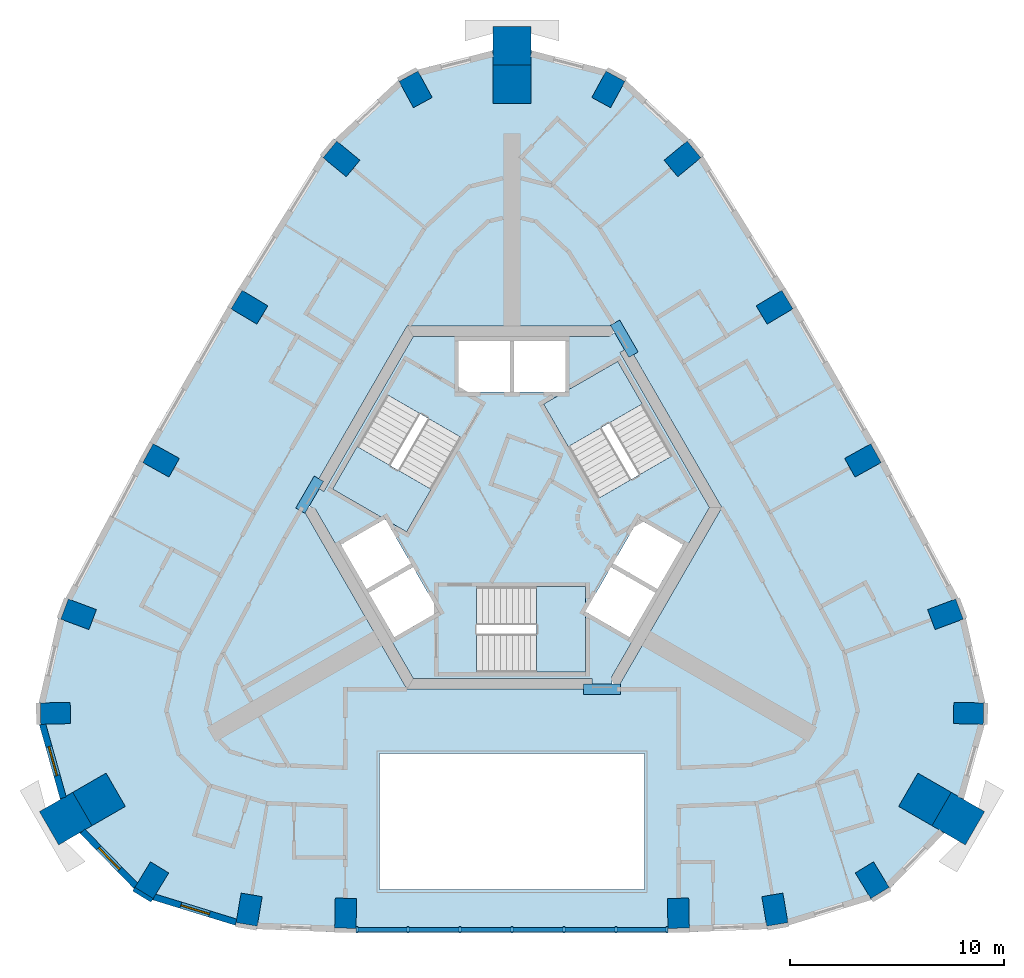
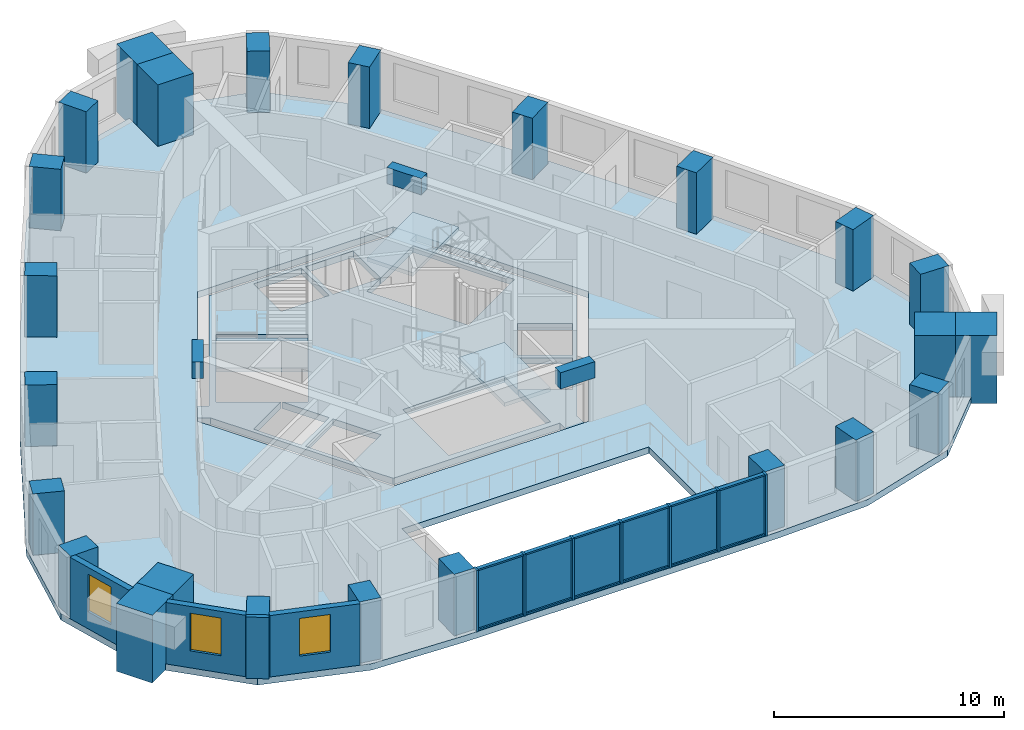
# One storey, part 1 of 10: 24 columns, 19 members, 6 plates, 5 slabs, 4 walls, 3 beams, 3 windows, 3 openings, 4 elements without a shape of their own.
"""IFC4 building model written with IfcOpenShell, lengths in metres."""

from ifc_helpers import new_model, si_unit, direction, frame, frame_2d, origin, origin_2d, place, context, subcontext, project, spatial, polyline, rectangle, outline, extrude, material, layer, layer_set, material_profile, profile_set, type_object, element, fill, aggregate, save


model = new_model("IFC4")

# Units and contexts
model_context = context("Model", 3, precision=1e-05, world=origin(), true_north=direction((0.0, 1.0)))
body_context = subcontext(model_context, "Body", "Model", "MODEL_VIEW")
ifc_project = project(units=[si_unit("LENGTHUNIT", "METRE"), si_unit("AREAUNIT", "SQUARE_METRE"), si_unit("VOLUMEUNIT", "CUBIC_METRE"), si_unit("PLANEANGLEUNIT", "RADIAN"), si_unit("MASSUNIT", "GRAM", prefix="KILO")], contexts=[model_context])

# Site, building, storey
site_placement = place(None, origin())
site = spatial("IfcSite", under=ifc_project, at=site_placement, CompositionType="ELEMENT")
building_placement = place(site_placement, origin())
building = spatial("IfcBuilding", under=site, at=building_placement, Name="Entoto Arch Interchange Tower", CompositionType="ELEMENT")
storey_placement = place(building_placement, frame((0.0, 0.0, 293.60009765625)))
storey = spatial("IfcBuildingStorey", under=building, at=storey_placement, Name="L68", CompositionType="ELEMENT", Elevation=293.60009765625)

# Columns
ifc_material_1 = material(Name="Concrete C40/50", Category="concrete")
ifc_material_profile_1 = material_profile(ifc_material_1, rectangle(XDim=1.0, YDim=1.39990234375, at=origin_2d()))
ifc_profile_set_1 = profile_set([ifc_material_profile_1], Name="Concrete C40/50")
column_type_1 = type_object("IfcColumnType", Name="Column RC 1000x1400 C40/50", PredefinedType="COLUMN", material=ifc_profile_set_1)
for number, where, z_axis, x_axis, name in (
    (1, (-12.297119140625, -16.31103515625, -0.340087890625), (0.0, 0.0, 1.0), (-0.985785690827, 0.168007653877, 0.0), "Column S01 L68"),
    (2, (-7.781982421875, -16.48095703125, -0.340087890625), (0.0, 0.0, 1.0), (-0.999805523312, 0.019720942027, 0.0), "Column S02 L68"),
    (3, (7.781982421875, -16.48095703125, -0.340087890625), (0.0, 0.0, 1.0), (0.999805523312, 0.019720942027, 0.0), "Column S03 L68"),
    (4, (12.297119140625, -16.31103515625, -0.340087890625), (0.0, 0.0, 1.0), (0.985785690827, 0.168007653877, 0.0), "Column S04 L68"),
    (5, (16.85009765625, -14.93310546875, -0.340087890625), (0.0, 0.0, 1.0), (0.853650808213, 0.520845752251, 0.0), "Column SE1 L68"),
    (6, (21.35693359375, -7.1259765625, -0.340087890625), (0.0, 0.0, 1.0), (0.024257696956, 0.999705738774, 0.0), "Column SE3 L68"),
    (7, (20.27490234375, -2.4970703125, -0.340087890625), (0.0, 0.0, 1.0), (-0.3507141184, 0.93648257173, 0.0), "Column NE01 L68"),
    (8, (16.4150390625, 4.701904296875, -0.340087890625), (0.0, 0.0, 1.0), (-0.48592357098, 0.874001306158, 0.0), "Column NE02 L68"),
    (9, (12.279052734375, 11.864990234375, -0.340087890625), (0.0, 0.0, 1.0), (-0.513945548584, 0.857822809845, 0.0), "Column NE03 L68"),
    (10, (7.97509765625, 18.806884765625, -0.340087890625), (0.0, 0.0, 1.0), (-0.635647164629, 0.771979716119, 0.0), "Column NE04 L68"),
    (11, (4.507080078125, 22.05908203125, -0.340087890625), (0.0, 0.0, 1.0), (-0.877899414566, 0.478845087586, 0.0), "Column N1 L68"),
    (12, (-4.507080078125, 22.05908203125, -0.340087890625), (0.0, 0.0, 1.0), (0.877899414566, 0.478845087586, 0.0), "Column N3 L68"),
    (13, (-7.97509765625, 18.806884765625, -0.340087890625), (0.0, 0.0, 1.0), (0.635647164629, 0.771979716119, 0.0), "Column NW01 L68"),
    (14, (-12.279052734375, 11.864990234375, -0.340087890625), (0.0, 0.0, 1.0), (0.513945548584, 0.857822809845, 0.0), "Column NW02 L68"),
    (15, (-16.4150390625, 4.701904296875, -0.340087890625), (0.0, 0.0, 1.0), (0.48592357098, 0.874001306158, 0.0), "Column NW03 L68"),
    (16, (-20.27490234375, -2.4970703125, -0.340087890625), (0.0, 0.0, 1.0), (0.3507141184, 0.93648257173, 0.0), "Column NW04 L68"),
    (17, (-21.35693359375, -7.1259765625, -0.340087890625), (0.0, 0.0, 1.0), (-0.024257696956, 0.999705738774, 0.0), "Column SW1 L68"),
    (18, (-16.85009765625, -14.93310546875, -0.340087890625), (0.0, 0.0, 1.0), (-0.853650808213, 0.520845752251, 0.0), "Column SW3 L68"),
):
    element("IfcColumn", number, at=place(storey_placement, frame(where, z_axis=z_axis, x_axis=x_axis)), inside=storey, type_object=column_type_1, Name=name, PredefinedType="COLUMN", context=body_context, shape_type="SweptSolid", body=[
        extrude(rectangle(XDim=1.0, YDim=1.39990234375, at=origin_2d()), origin(), (0.0, 0.0, 1.0), 3.60009765625),
    ])
ifc_material_2 = material(Name="Precast concrete C40/50", Category="concrete")
ifc_material_profile_2 = material_profile(ifc_material_2, rectangle(XDim=1.800048828125, YDim=1.800048828125, at=origin_2d()))
ifc_profile_set_2 = profile_set([ifc_material_profile_2], Name="Precast concrete C40/50")
column_type_2 = type_object("IfcColumnType", Name="Frame post RC 1800x1800 precast C40/50", PredefinedType="COLUMN", material=ifc_profile_set_2)
for number, where, z_axis, x_axis, name in (
    (19, (20.8779296875, -12.053955078125, -0.340087890625), (0.0, 0.0, 1.0), (-0.866025403784, 0.5, 0.0), "Frame post SE L68"),
    (20, (0.0, 24.10791015625, -0.340087890625), (0.0, 0.0, 1.0), (0.0, 1.0, 0.0), "Frame post N L68"),
    (21, (-20.8779296875, -12.053955078125, -0.340087890625), (0.0, 0.0, 1.0), (0.866025403784, 0.5, 0.0), "Frame post SW L68"),
):
    element("IfcColumn", number, at=place(storey_placement, frame(where, z_axis=z_axis, x_axis=x_axis)), inside=storey, type_object=column_type_2, Name=name, PredefinedType="COLUMN", context=body_context, shape_type="SweptSolid", body=[
        extrude(rectangle(XDim=1.800048828125, YDim=1.800048828125, at=origin_2d()), origin(), (0.0, 0.0, 1.0), 3.60009765625),
    ])
ifc_material_profile_3 = material_profile(ifc_material_1, rectangle(XDim=1.800048828125, YDim=1.800048828125, at=origin_2d()))
ifc_profile_set_3 = profile_set([ifc_material_profile_3], Name="Concrete C40/50")
column_type_3 = type_object("IfcColumnType", Name="Mega column RC 1800x1800 C40/50", PredefinedType="COLUMN", material=ifc_profile_set_3)
for number, where, z_axis, x_axis, name in (
    (22, (19.319091796875, -11.154052734375, -0.340087890625), (0.0, 0.0, 1.0), (-0.866025403784, 0.5, 0.0), "Corner mega column SE2 L68"),
    (23, (0.0, 22.30810546875, -0.340087890625), (0.0, 0.0, 1.0), (0.0, 1.0, 0.0), "Corner mega column N2 L68"),
    (24, (-19.319091796875, -11.154052734375, -0.340087890625), (0.0, 0.0, 1.0), (0.866025403784, 0.5, 0.0), "Corner mega column SW2 L68"),
):
    element("IfcColumn", number, at=place(storey_placement, frame(where, z_axis=z_axis, x_axis=x_axis)), inside=storey, type_object=column_type_3, Name=name, PredefinedType="COLUMN", context=body_context, shape_type="SweptSolid", body=[
        extrude(rectangle(XDim=1.800048828125, YDim=1.800048828125, at=origin_2d()), origin(), (0.0, 0.0, 1.0), 3.60009765625),
    ])

# Beams
ifc_material_profile_4 = material_profile(ifc_material_1, rectangle(XDim=0.5, YDim=0.860107421875, at=origin_2d()))
ifc_profile_set_4 = profile_set([ifc_material_profile_4], Name="Concrete C40/50")
beam_type = type_object("IfcBeamType", Name="Coupling beam RC 500x860 C40/50", PredefinedType="BEAM", material=ifc_profile_set_4)
for number, where, z_axis, x_axis, name in (
    (25, (5.68603515625, 9.65087890625, 2.829833984375), (-0.500105721196, 0.865964357019, 0.0), (-0.865964357019, -0.500105721196, 0.0), "Coupling beam NE L68"),
    (26, (-9.035888671875, 3.84912109375, 2.829833984375), (-0.500105721196, -0.865964357019, 0.0), (0.865964357019, -0.500105721196, 0.0), "Coupling beam NW L68"),
):
    element("IfcBeam", number, at=place(storey_placement, frame(where, z_axis=z_axis, x_axis=x_axis)), inside=storey, type_object=beam_type, Name=name, PredefinedType="BEAM", context=body_context, shape_type="SweptSolid", body=[
        extrude(rectangle(XDim=0.5, YDim=0.860107421875, at=origin_2d()), origin(), (0.0, 0.0, 1.0), 1.727783203125),
    ])
beam_placement = place(storey_placement, frame((3.35009765625, -6.0, 2.829833984375), z_axis=(1.0, 0.0, 0.0), x_axis=(0.0, 1.0, 0.0)))
element("IfcBeam", 27, at=beam_placement, inside=storey, type_object=beam_type, Name="Coupling beam S L68", PredefinedType="BEAM", context=body_context, shape_type="SweptSolid", body=[
    extrude(rectangle(XDim=0.5, YDim=0.860107421875, at=origin_2d()), origin(), (0.0, 0.0, 1.0), 1.725830078125),
])

# Curtain wall, members
ifc_material_3 = material(Name="Aluminium, anodised", Category="aluminium")
curtain_wall_type = type_object("IfcCurtainWallType", Name="CURTAIN WALL ATRIUM", PredefinedType="NOTDEFINED", material=ifc_material_3)
curtain_wall_placement = place(storey_placement, origin())
curtain_wall = element("IfcCurtainWall", 28, at=curtain_wall_placement, inside=storey, type_object=curtain_wall_type, Name="Atrium glazing S-02 L68", PredefinedType="NOTDEFINED")
ifc_material_profile_5 = material_profile(ifc_material_3, rectangle(XDim=0.300048828125, YDim=0.10009765625, at=origin_2d()))
ifc_profile_set_5 = profile_set([ifc_material_profile_5], Name="Aluminium, anodised")
member_type_1 = type_object("IfcMemberType", Name="MULLION ATRIUM 100x300", PredefinedType="MULLION", material=ifc_profile_set_5)
member_1_placement = place(storey_placement, frame((-7.248046875, -17.256103515625, 0.0), z_axis=(0.0, 0.0, 1.0), x_axis=(0.0, 1.0, 0.0)))
member_1 = element("IfcMember", 29, at=member_1_placement, type_object=member_type_1, Name="CWA mullion 1", PredefinedType="MULLION", context=body_context, shape_type="SweptSolid", body=[
    extrude(rectangle(XDim=0.300048828125, YDim=0.10009765625, at=origin_2d()), origin(), (0.0, 0.0, 1.0), 3.260009765625),
])
member_2_placement = place(storey_placement, frame((-4.865234375, -17.256103515625, 0.0), z_axis=(0.0, 0.0, 1.0), x_axis=(0.0, 1.0, 0.0)))
member_2 = element("IfcMember", 30, at=member_2_placement, type_object=member_type_1, Name="CWA mullion 2", PredefinedType="MULLION", context=body_context, shape_type="SweptSolid", body=[
    extrude(rectangle(XDim=0.300048828125, YDim=0.10009765625, at=origin_2d()), origin(), (0.0, 0.0, 1.0), 3.260009765625),
])
member_3_placement = place(storey_placement, frame((-2.4326171875, -17.256103515625, 0.0), z_axis=(0.0, 0.0, 1.0), x_axis=(0.0, 1.0, 0.0)))
member_3 = element("IfcMember", 31, at=member_3_placement, type_object=member_type_1, Name="CWA mullion 3", PredefinedType="MULLION", context=body_context, shape_type="SweptSolid", body=[
    extrude(rectangle(XDim=0.300048828125, YDim=0.10009765625, at=origin_2d()), origin(), (0.0, 0.0, 1.0), 3.260009765625),
])
member_4_placement = place(storey_placement, frame((0.0, -17.256103515625, 0.0), z_axis=(0.0, 0.0, 1.0), x_axis=(0.0, 1.0, 0.0)))
member_4 = element("IfcMember", 32, at=member_4_placement, type_object=member_type_1, Name="CWA mullion 4", PredefinedType="MULLION", context=body_context, shape_type="SweptSolid", body=[
    extrude(rectangle(XDim=0.300048828125, YDim=0.10009765625, at=origin_2d()), origin(), (0.0, 0.0, 1.0), 3.260009765625),
])
member_5_placement = place(storey_placement, frame((2.4326171875, -17.256103515625, 0.0), z_axis=(0.0, 0.0, 1.0), x_axis=(0.0, 1.0, 0.0)))
member_5 = element("IfcMember", 33, at=member_5_placement, type_object=member_type_1, Name="CWA mullion 5", PredefinedType="MULLION", context=body_context, shape_type="SweptSolid", body=[
    extrude(rectangle(XDim=0.300048828125, YDim=0.10009765625, at=origin_2d()), origin(), (0.0, 0.0, 1.0), 3.260009765625),
])
member_6_placement = place(storey_placement, frame((4.865234375, -17.256103515625, 0.0), z_axis=(0.0, 0.0, 1.0), x_axis=(0.0, 1.0, 0.0)))
member_6 = element("IfcMember", 34, at=member_6_placement, type_object=member_type_1, Name="CWA mullion 6", PredefinedType="MULLION", context=body_context, shape_type="SweptSolid", body=[
    extrude(rectangle(XDim=0.300048828125, YDim=0.10009765625, at=origin_2d()), origin(), (0.0, 0.0, 1.0), 3.260009765625),
])
member_7_placement = place(storey_placement, frame((7.248046875, -17.256103515625, 0.0), z_axis=(0.0, 0.0, 1.0), x_axis=(0.0, 1.0, 0.0)))
member_7 = element("IfcMember", 35, at=member_7_placement, type_object=member_type_1, Name="CWA mullion 7", PredefinedType="MULLION", context=body_context, shape_type="SweptSolid", body=[
    extrude(rectangle(XDim=0.300048828125, YDim=0.10009765625, at=origin_2d()), origin(), (0.0, 0.0, 1.0), 3.260009765625),
])
ifc_material_profile_6 = material_profile(ifc_material_3, rectangle(XDim=0.199951171875, YDim=0.080078125, at=origin_2d()))
ifc_profile_set_6 = profile_set([ifc_material_profile_6], Name="Aluminium, anodised")
member_type_2 = type_object("IfcMemberType", Name="TRANSOM ATRIUM 80x200", PredefinedType="USERDEFINED", material=ifc_profile_set_6)
member_8_placement = place(storey_placement, frame((-7.197998046875, -17.256103515625, 0.039794921875), z_axis=(1.0, 0.0, 0.0), x_axis=(0.0, 1.0, 0.0)))
member_8 = element("IfcMember", 36, at=member_8_placement, type_object=member_type_2, Name="CWA transom 1.1", ObjectType="TRANSOM", PredefinedType="USERDEFINED", context=body_context, shape_type="SweptSolid", body=[
    extrude(rectangle(XDim=0.199951171875, YDim=0.080078125, at=origin_2d()), origin(), (0.0, 0.0, 1.0), 2.28271484375),
])
member_9_placement = place(storey_placement, frame((-7.197998046875, -17.256103515625, 3.219970703125), z_axis=(1.0, 0.0, 0.0), x_axis=(0.0, 1.0, 0.0)))
member_9 = element("IfcMember", 37, at=member_9_placement, type_object=member_type_2, Name="CWA transom 1.2", ObjectType="TRANSOM", PredefinedType="USERDEFINED", context=body_context, shape_type="SweptSolid", body=[
    extrude(rectangle(XDim=0.199951171875, YDim=0.080078125, at=origin_2d()), origin(), (0.0, 0.0, 1.0), 2.28271484375),
])
member_10_placement = place(storey_placement, frame((-4.8154296875, -17.256103515625, 0.039794921875), z_axis=(1.0, 0.0, 0.0), x_axis=(0.0, 1.0, 0.0)))
member_10 = element("IfcMember", 38, at=member_10_placement, type_object=member_type_2, Name="CWA transom 2.1", ObjectType="TRANSOM", PredefinedType="USERDEFINED", context=body_context, shape_type="SweptSolid", body=[
    extrude(rectangle(XDim=0.199951171875, YDim=0.080078125, at=origin_2d()), origin(), (0.0, 0.0, 1.0), 2.332763671875),
])
member_11_placement = place(storey_placement, frame((-4.8154296875, -17.256103515625, 3.219970703125), z_axis=(1.0, 0.0, 0.0), x_axis=(0.0, 1.0, 0.0)))
member_11 = element("IfcMember", 39, at=member_11_placement, type_object=member_type_2, Name="CWA transom 2.2", ObjectType="TRANSOM", PredefinedType="USERDEFINED", context=body_context, shape_type="SweptSolid", body=[
    extrude(rectangle(XDim=0.199951171875, YDim=0.080078125, at=origin_2d()), origin(), (0.0, 0.0, 1.0), 2.332763671875),
])
member_12_placement = place(storey_placement, frame((-2.382568359375, -17.256103515625, 0.039794921875), z_axis=(1.0, 0.0, 0.0), x_axis=(0.0, 1.0, 0.0)))
member_12 = element("IfcMember", 40, at=member_12_placement, type_object=member_type_2, Name="CWA transom 3.1", ObjectType="TRANSOM", PredefinedType="USERDEFINED", context=body_context, shape_type="SweptSolid", body=[
    extrude(rectangle(XDim=0.199951171875, YDim=0.080078125, at=origin_2d()), origin(), (0.0, 0.0, 1.0), 2.33251953125),
])
member_13_placement = place(storey_placement, frame((-2.382568359375, -17.256103515625, 3.219970703125), z_axis=(1.0, 0.0, 0.0), x_axis=(0.0, 1.0, 0.0)))
member_13 = element("IfcMember", 41, at=member_13_placement, type_object=member_type_2, Name="CWA transom 3.2", ObjectType="TRANSOM", PredefinedType="USERDEFINED", context=body_context, shape_type="SweptSolid", body=[
    extrude(rectangle(XDim=0.199951171875, YDim=0.080078125, at=origin_2d()), origin(), (0.0, 0.0, 1.0), 2.33251953125),
])
member_14_placement = place(storey_placement, frame((0.050048828125, -17.256103515625, 0.039794921875), z_axis=(1.0, 0.0, 0.0), x_axis=(0.0, 1.0, 0.0)))
member_14 = element("IfcMember", 42, at=member_14_placement, type_object=member_type_2, Name="CWA transom 4.1", ObjectType="TRANSOM", PredefinedType="USERDEFINED", context=body_context, shape_type="SweptSolid", body=[
    extrude(rectangle(XDim=0.199951171875, YDim=0.080078125, at=origin_2d()), origin(), (0.0, 0.0, 1.0), 2.33251953125),
])
member_15_placement = place(storey_placement, frame((0.050048828125, -17.256103515625, 3.219970703125), z_axis=(1.0, 0.0, 0.0), x_axis=(0.0, 1.0, 0.0)))
member_15 = element("IfcMember", 43, at=member_15_placement, type_object=member_type_2, Name="CWA transom 4.2", ObjectType="TRANSOM", PredefinedType="USERDEFINED", context=body_context, shape_type="SweptSolid", body=[
    extrude(rectangle(XDim=0.199951171875, YDim=0.080078125, at=origin_2d()), origin(), (0.0, 0.0, 1.0), 2.33251953125),
])
member_16_placement = place(storey_placement, frame((2.482666015625, -17.256103515625, 0.039794921875), z_axis=(1.0, 0.0, 0.0), x_axis=(0.0, 1.0, 0.0)))
member_16 = element("IfcMember", 44, at=member_16_placement, type_object=member_type_2, Name="CWA transom 5.1", ObjectType="TRANSOM", PredefinedType="USERDEFINED", context=body_context, shape_type="SweptSolid", body=[
    extrude(rectangle(XDim=0.199951171875, YDim=0.080078125, at=origin_2d()), origin(), (0.0, 0.0, 1.0), 2.332763671875),
])
member_17_placement = place(storey_placement, frame((2.482666015625, -17.256103515625, 3.219970703125), z_axis=(1.0, 0.0, 0.0), x_axis=(0.0, 1.0, 0.0)))
member_17 = element("IfcMember", 45, at=member_17_placement, type_object=member_type_2, Name="CWA transom 5.2", ObjectType="TRANSOM", PredefinedType="USERDEFINED", context=body_context, shape_type="SweptSolid", body=[
    extrude(rectangle(XDim=0.199951171875, YDim=0.080078125, at=origin_2d()), origin(), (0.0, 0.0, 1.0), 2.332763671875),
])
member_18_placement = place(storey_placement, frame((4.915283203125, -17.256103515625, 0.039794921875), z_axis=(1.0, 0.0, 0.0), x_axis=(0.0, 1.0, 0.0)))
member_18 = element("IfcMember", 46, at=member_18_placement, type_object=member_type_2, Name="CWA transom 6.1", ObjectType="TRANSOM", PredefinedType="USERDEFINED", context=body_context, shape_type="SweptSolid", body=[
    extrude(rectangle(XDim=0.199951171875, YDim=0.080078125, at=origin_2d()), origin(), (0.0, 0.0, 1.0), 2.28271484375),
])
member_19_placement = place(storey_placement, frame((4.915283203125, -17.256103515625, 3.219970703125), z_axis=(1.0, 0.0, 0.0), x_axis=(0.0, 1.0, 0.0)))
member_19 = element("IfcMember", 47, at=member_19_placement, type_object=member_type_2, Name="CWA transom 6.2", ObjectType="TRANSOM", PredefinedType="USERDEFINED", context=body_context, shape_type="SweptSolid", body=[
    extrude(rectangle(XDim=0.199951171875, YDim=0.080078125, at=origin_2d()), origin(), (0.0, 0.0, 1.0), 2.28271484375),
])

# Slab
ifc_layer_1 = layer(ifc_material_1, 0.340087890625)
ifc_layer_set_1 = layer_set([ifc_layer_1], Name="Concrete C40/50")
slab_type_1 = type_object("IfcSlabType", Name="Core floor slab 340 C40/50", PredefinedType="FLOOR", material=ifc_layer_set_1)
slab_1_placement = place(storey_placement, frame((0.0, 0.0, -0.340087890625)))
element("IfcSlab", 48, at=slab_1_placement, inside=storey, type_object=slab_type_1, Name="Core floor slab L68", PredefinedType="FLOOR", context=body_context, shape_type="SweptSolid", body=[
    extrude(outline(polyline([(-9.208984375, 2.449951171875), (-9.222900390625, 2.425048828125), (-9.699951171875, 2.699951171875), (-9.236083984375, 3.501953125), (-8.802978515625, 3.2529296875), (-4.618896484375, 10.5), (4.56103515625, 10.5), (4.5458984375, 10.52490234375), (5.02197265625, 10.800048828125), (5.486083984375, 9.998046875), (5.052978515625, 9.748046875), (9.238037109375, 2.5), (4.64794921875, -5.449951171875), (4.676025390625, -5.449951171875), (4.676025390625, -6.0), (3.75, -6.0), (3.75, -5.5), (-4.618896484375, -5.5), (-9.208984375, 2.449951171875)]), holes=[polyline([(-1.64990234375, -5.199951171875), (3.449951171875, -5.199951171875), (3.449951171875, -2.3779296875), (5.5048828125, -3.56494140625), (6.705078125, -1.487060546875), (4.626953125, -0.287109375), (3.449951171875, -2.324951171875), (3.449951171875, -1.199951171875), (-1.64990234375, -1.199951171875), (-1.64990234375, -5.199951171875)]), polyline([(-4.626953125, -0.287109375), (-6.705078125, -1.487060546875), (-5.5048828125, -3.56494140625), (-3.427001953125, -2.364990234375), (-4.626953125, -0.287109375)]), polyline([(-5.904052734375, 1.925048828125), (-4.928955078125, 1.362060546875), (-2.37890625, 5.779052734375), (-5.843017578125, 7.779052734375), (-8.39306640625, 3.362060546875), (-5.949951171875, 1.951904296875), (-8.0048828125, 0.764892578125), (-6.804931640625, -1.31298828125), (-4.72705078125, -0.113037109375), (-5.904052734375, 1.925048828125)]), polyline([(4.72705078125, -0.113037109375), (6.804931640625, -1.31298828125), (8.0048828125, 0.764892578125), (5.927001953125, 1.965087890625), (4.72705078125, -0.113037109375)]), polyline([(2.5, 7.927001953125), (2.5, 10.300048828125), (0.10009765625, 10.300048828125), (0.10009765625, 7.89990234375), (2.452880859375, 7.89990234375), (1.47900390625, 7.337890625), (4.029052734375, 2.9208984375), (7.492919921875, 4.9208984375), (4.943115234375, 9.337890625), (2.5, 7.927001953125)]), polyline([(-2.5, 7.89990234375), (-0.10009765625, 7.89990234375), (-0.10009765625, 10.300048828125), (-2.5, 10.300048828125), (-2.5, 7.89990234375)])]), origin(), (0.0, 0.0, 1.0), 0.340087890625),
])

# Stair, slab
stair_type = type_object("IfcStairType", Name="EXIT STAIR RC 1800", PredefinedType="HALF_TURN_STAIR", material=ifc_material_1)
stair_1_placement = place(storey_placement, origin())
stair_1 = element("IfcStair", 49, at=stair_1_placement, inside=storey, type_object=stair_type, Name="L68 Exit stair S", PredefinedType="HALF_TURN_STAIR")
ifc_layer_2 = layer(ifc_material_1, 0.199951171875)
ifc_layer_set_2 = layer_set([ifc_layer_2], Name="Concrete C40/50")
slab_type_2 = type_object("IfcSlabType", Name="EXIT STAIR LANDING RC 200", PredefinedType="LANDING", material=ifc_layer_set_2)
slab_2_placement = place(storey_placement, frame((0.0, 0.0, 1.599853515625)))
slab_2 = element("IfcSlab", 50, at=slab_2_placement, type_object=slab_type_2, Name="ST-S landing 1", PredefinedType="LANDING", context=body_context, shape_type="SweptSolid", body=[
    extrude(outline(polyline([(1.14990234375, -5.199951171875), (3.449951171875, -5.199951171875), (3.449951171875, -1.199951171875), (1.14990234375, -1.199951171875), (1.14990234375, -5.199951171875)])), origin(), (0.0, 0.0, 1.0), 0.199951171875),
])
aggregate(stair_1, [slab_2])

stair_2_placement = place(storey_placement, origin())
stair_2 = element("IfcStair", 51, at=stair_2_placement, inside=storey, type_object=stair_type, Name="L68 Exit stair NE", PredefinedType="HALF_TURN_STAIR")
slab_3_placement = place(storey_placement, frame((0.0, 0.0, 1.599853515625)))
slab_3 = element("IfcSlab", 52, at=slab_3_placement, type_object=slab_type_2, Name="ST-NE landing 1", PredefinedType="LANDING", context=body_context, shape_type="SweptSolid", body=[
    extrude(outline(polyline([(6.093505859375, 7.345947265625), (4.943359375, 9.337890625), (1.479248046875, 7.337890625), (2.62939453125, 5.345947265625), (6.093505859375, 7.345947265625)])), origin(), (0.0, 0.0, 1.0), 0.199951171875),
])
aggregate(stair_2, [slab_3])

stair_3_placement = place(storey_placement, origin())
stair_3 = element("IfcStair", 53, at=stair_3_placement, inside=storey, type_object=stair_type, Name="L68 Exit stair NW", PredefinedType="HALF_TURN_STAIR")
slab_4_placement = place(storey_placement, frame((0.0, 0.0, 1.599853515625)))
slab_4 = element("IfcSlab", 54, at=slab_4_placement, type_object=slab_type_2, Name="ST-NW landing 1", PredefinedType="LANDING", context=body_context, shape_type="SweptSolid", body=[
    extrude(outline(polyline([(-7.243408203125, 5.35400390625), (-8.393310546875, 3.3623046875), (-4.92919921875, 1.3623046875), (-3.779296875, 3.35400390625), (-7.243408203125, 5.35400390625)])), origin(), (0.0, 0.0, 1.0), 0.199951171875),
])
aggregate(stair_3, [slab_4])

# Plate
ifc_material_4 = material(Name="Clear glass, low-e double glazed", Category="glass")
ifc_layer_3 = layer(ifc_material_4, 0.031982421875)
ifc_layer_set_3 = layer_set([ifc_layer_3], Name="Clear glass, low-e double glazed")
plate_type = type_object("IfcPlateType", Name="GLAZING PANEL ATRIUM 32", PredefinedType="CURTAIN_PANEL", material=ifc_layer_set_3)
plate_1_placement = place(storey_placement, frame((-6.056640625, -17.256103515625, 0.079833984375), z_axis=(0.0, 0.0, 1.0), x_axis=(1.0, 0.0, 0.0)))
plate_1 = element("IfcPlate", 55, at=plate_1_placement, type_object=plate_type, Name="CWA panel 1.1", PredefinedType="CURTAIN_PANEL", context=body_context, shape_type="SweptSolid", body=[
    extrude(rectangle(XDim=2.28271484375, YDim=0.031982421875, at=origin_2d()), origin(), (0.0, 0.0, 1.0), 3.10009765625),
])

plate_2_placement = place(storey_placement, frame((-3.64892578125, -17.256103515625, 0.079833984375), z_axis=(0.0, 0.0, 1.0), x_axis=(1.0, 0.0, 0.0)))
plate_2 = element("IfcPlate", 56, at=plate_2_placement, type_object=plate_type, Name="CWA panel 2.1", PredefinedType="CURTAIN_PANEL", context=body_context, shape_type="SweptSolid", body=[
    extrude(rectangle(XDim=2.332763671875, YDim=0.031982421875, at=origin_2d()), origin(), (0.0, 0.0, 1.0), 3.10009765625),
])

plate_3_placement = place(storey_placement, frame((-1.21630859375, -17.256103515625, 0.079833984375), z_axis=(0.0, 0.0, 1.0), x_axis=(1.0, 0.0, 0.0)))
plate_3 = element("IfcPlate", 57, at=plate_3_placement, type_object=plate_type, Name="CWA panel 3.1", PredefinedType="CURTAIN_PANEL", context=body_context, shape_type="SweptSolid", body=[
    extrude(rectangle(XDim=2.332763671875, YDim=0.031982421875, at=origin_2d()), origin(), (0.0, 0.0, 1.0), 3.10009765625),
])

plate_4_placement = place(storey_placement, frame((1.21630859375, -17.256103515625, 0.079833984375), z_axis=(0.0, 0.0, 1.0), x_axis=(1.0, 0.0, 0.0)))
plate_4 = element("IfcPlate", 58, at=plate_4_placement, type_object=plate_type, Name="CWA panel 4.1", PredefinedType="CURTAIN_PANEL", context=body_context, shape_type="SweptSolid", body=[
    extrude(rectangle(XDim=2.332763671875, YDim=0.031982421875, at=origin_2d()), origin(), (0.0, 0.0, 1.0), 3.10009765625),
])

plate_5_placement = place(storey_placement, frame((3.64892578125, -17.256103515625, 0.079833984375), z_axis=(0.0, 0.0, 1.0), x_axis=(1.0, 0.0, 0.0)))
plate_5 = element("IfcPlate", 59, at=plate_5_placement, type_object=plate_type, Name="CWA panel 5.1", PredefinedType="CURTAIN_PANEL", context=body_context, shape_type="SweptSolid", body=[
    extrude(rectangle(XDim=2.332763671875, YDim=0.031982421875, at=origin_2d()), origin(), (0.0, 0.0, 1.0), 3.10009765625),
])

plate_6_placement = place(storey_placement, frame((6.056640625, -17.256103515625, 0.079833984375), z_axis=(0.0, 0.0, 1.0), x_axis=(1.0, 0.0, 0.0)))
plate_6 = element("IfcPlate", 60, at=plate_6_placement, type_object=plate_type, Name="CWA panel 6.1", PredefinedType="CURTAIN_PANEL", context=body_context, shape_type="SweptSolid", body=[
    extrude(rectangle(XDim=2.28271484375, YDim=0.031982421875, at=origin_2d()), origin(), (0.0, 0.0, 1.0), 3.10009765625),
])

aggregate(curtain_wall, [member_1, member_2, member_3, member_4, member_5, member_6, member_7, member_8, member_9, plate_1, member_10, member_11, plate_2, member_12, member_13, plate_3, member_14, member_15, plate_4, member_16, member_17, plate_5, member_18, member_19, plate_6])

# Slab
ifc_layer_4 = layer(ifc_material_1, 0.340087890625)
ifc_layer_set_4 = layer_set([ifc_layer_4], Name="Concrete C40/50")
slab_type_3 = type_object("IfcSlabType", Name="Post-tensioned flat plate 340 C40/50", PredefinedType="FLOOR", material=ifc_layer_set_4)
slab_5_placement = place(storey_placement, frame((0.0, 0.0, -0.340087890625)))
element("IfcSlab", 61, at=slab_5_placement, inside=storey, type_object=slab_type_3, Name="Floor slab L68", PredefinedType="FLOOR", context=body_context, shape_type="SweptSolid", body=[
    extrude(outline(polyline([(-12.447998046875, -17.197998046875), (-7.800048828125, -17.381103515625), (7.800048828125, -17.381103515625), (12.447998046875, -17.197998046875), (17.319091796875, -15.700927734375), (20.8779296875, -12.053955078125), (22.257080078125, -7.14794921875), (21.117919921875, -2.180908203125), (17.201904296875, 5.138916015625), (13.051025390625, 12.327880859375), (8.669921875, 19.37890625), (4.93798828125, 22.84912109375), (0.0, 24.10791015625), (-4.93798828125, 22.84912109375), (-8.669921875, 19.37890625), (-13.051025390625, 12.327880859375), (-17.201904296875, 5.138916015625), (-21.117919921875, -2.180908203125), (-22.257080078125, -7.14794921875), (-20.8779296875, -12.053955078125), (-17.319091796875, -15.700927734375), (-12.447998046875, -17.197998046875)]), holes=[polyline([(6.199951171875, -15.381103515625), (6.199951171875, -9.0), (-6.199951171875, -9.0), (-6.199951171875, -15.381103515625), (6.199951171875, -15.381103515625)]), polyline([(9.81494140625, 2.5), (4.906982421875, 11.0), (-4.906982421875, 11.0), (-9.81494140625, 2.5), (-4.906982421875, -6.0), (4.906982421875, -6.0), (9.81494140625, 2.5)])]), origin(), (0.0, 0.0, 1.0), 0.340087890625),
])

# Wall, opening, window
ifc_material_5 = material(Name="Welded tuff (ignimbrite) cladding, warm buff", Category="masonry")
ifc_layer_5 = layer(ifc_material_5, 0.300048828125)
ifc_layer_set_5 = layer_set([ifc_layer_5], Name="Welded tuff (ignimbrite) cladding, warm buff")
wall_type_1 = type_object("IfcWallType", Name="STONE INFILL WALL 300", PredefinedType="STANDARD", material=ifc_layer_set_5)
wall_1_placement = place(storey_placement, frame((-21.962890625, -7.639892578125, 0.0), z_axis=(0.0, 0.0, 1.0), x_axis=(0.270589405397, -0.962694849725, 0.0)))
wall_1 = element("IfcWall", 62, at=wall_1_placement, inside=storey, type_object=wall_type_1, Name="Facade wall SW-02 L68", PredefinedType="STANDARD", context=body_context, shape_type="SweptSolid", body=[
    extrude(rectangle(XDim=3.57666015625, YDim=0.300048828125, at=frame_2d((1.788330078125, 0.0))), origin(), (0.0, 0.0, 1.0), 3.260009765625),
])
opening_1_placement = place(wall_1_placement, frame((1.087890625, 0.0, 0.89990234375)))
opening_1 = element("IfcOpeningElement", 63, at=opening_1_placement, cuts=wall_1, Name="Opening WH-B", PredefinedType="OPENING", context=body_context, shape_type="SweptSolid", body=[
    extrude(rectangle(XDim=1.39990234375, YDim=2.0, at=frame_2d((0.699951171875, 1.0))), frame((0.0, 0.16015625, 0.0), z_axis=(0.0, -1.0, 0.0), x_axis=(1.0, 0.0, 0.0)), (0.0, 0.0, 1.0), 0.320068359375),
])
window_type = type_object("IfcWindowType", Name="WINDOW WH-B 1400x2000", PartitioningType="DOUBLE_PANEL_VERTICAL", PredefinedType="WINDOW", material=ifc_material_4)
window_1_placement = place(opening_1_placement, origin())
window_1 = element("IfcWindow", 64, at=window_1_placement, inside=storey, type_object=window_type, Name="Window WH-B SW-02 L68", OverallHeight=2.0, OverallWidth=1.39990234375, PartitioningType="SINGLE_PANEL", PredefinedType="WINDOW", context=body_context, shape_type="SweptSolid", body=[
    extrude(rectangle(XDim=1.39990234375, YDim=2.0, at=frame_2d((0.699951171875, 1.0))), frame((0.0, 0.030029296875, 0.0), z_axis=(0.0, -1.0, 0.0), x_axis=(1.0, 0.0, 0.0)), (0.0, 0.0, 1.0), 0.06005859375),
])
fill(opening_1, window_1)

wall_2_placement = place(storey_placement, frame((-20.095947265625, -12.64111328125, 0.0), z_axis=(0.0, 0.0, 1.0), x_axis=(0.698555868355, -0.715555517614, 0.0)))
wall_2 = element("IfcWall", 65, at=wall_2_placement, inside=storey, type_object=wall_type_1, Name="Facade wall SW-03 L68", PredefinedType="STANDARD", context=body_context, shape_type="SweptSolid", body=[
    extrude(rectangle(XDim=3.575927734375, YDim=0.300048828125, at=frame_2d((1.7880859375, 0.0))), origin(), (0.0, 0.0, 1.0), 3.260009765625),
])
opening_2_placement = place(wall_2_placement, frame((1.087890625, 0.0, 0.89990234375)))
opening_2 = element("IfcOpeningElement", 66, at=opening_2_placement, cuts=wall_2, Name="Opening WH-B", PredefinedType="OPENING", context=body_context, shape_type="SweptSolid", body=[
    extrude(rectangle(XDim=1.39990234375, YDim=2.0, at=frame_2d((0.699951171875, 1.0))), frame((0.0, 0.16015625, 0.0), z_axis=(0.0, -1.0, 0.0), x_axis=(1.0, 0.0, 0.0)), (0.0, 0.0, 1.0), 0.320068359375),
])
window_2_placement = place(opening_2_placement, origin())
window_2 = element("IfcWindow", 67, at=window_2_placement, inside=storey, type_object=window_type, Name="Window WH-B SW-03 L68", OverallHeight=2.0, OverallWidth=1.39990234375, PartitioningType="SINGLE_PANEL", PredefinedType="WINDOW", context=body_context, shape_type="SweptSolid", body=[
    extrude(rectangle(XDim=1.39990234375, YDim=2.0, at=frame_2d((0.699951171875, 1.0))), frame((0.0, 0.030029296875, 0.0), z_axis=(0.0, -1.0, 0.0), x_axis=(1.0, 0.0, 0.0)), (0.0, 0.0, 1.0), 0.06005859375),
])
fill(opening_2, window_2)

wall_3_placement = place(storey_placement, frame((-16.74609375, -15.719970703125, 0.0), z_axis=(0.0, 0.0, 1.0), x_axis=(0.955866957005, -0.293799864716, 0.0)))
wall_3 = element("IfcWall", 68, at=wall_3_placement, inside=storey, type_object=wall_type_1, Name="Facade wall SW-04 L68", PredefinedType="STANDARD", context=body_context, shape_type="SweptSolid", body=[
    extrude(rectangle(XDim=4.01953125, YDim=0.300048828125, at=frame_2d((2.009765625, 0.0))), origin(), (0.0, 0.0, 1.0), 3.260009765625),
])
opening_3_placement = place(wall_3_placement, frame((1.31005859375, 0.0, 0.89990234375)))
opening_3 = element("IfcOpeningElement", 69, at=opening_3_placement, cuts=wall_3, Name="Opening WH-B", PredefinedType="OPENING", context=body_context, shape_type="SweptSolid", body=[
    extrude(rectangle(XDim=1.39990234375, YDim=2.0, at=frame_2d((0.699951171875, 1.0))), frame((0.0, 0.16015625, 0.0), z_axis=(0.0, -1.0, 0.0), x_axis=(1.0, 0.0, 0.0)), (0.0, 0.0, 1.0), 0.320068359375),
])
window_3_placement = place(opening_3_placement, origin())
window_3 = element("IfcWindow", 70, at=window_3_placement, inside=storey, type_object=window_type, Name="Window WH-B SW-04 L68", OverallHeight=2.0, OverallWidth=1.39990234375, PartitioningType="SINGLE_PANEL", PredefinedType="WINDOW", context=body_context, shape_type="SweptSolid", body=[
    extrude(rectangle(XDim=1.39990234375, YDim=2.0, at=frame_2d((0.699951171875, 1.0))), frame((0.0, 0.030029296875, 0.0), z_axis=(0.0, -1.0, 0.0), x_axis=(1.0, 0.0, 0.0)), (0.0, 0.0, 1.0), 0.06005859375),
])
fill(opening_3, window_3)

# Wall
ifc_layer_6 = layer(ifc_material_5, 0.199951171875)
ifc_layer_set_6 = layer_set([ifc_layer_6], Name="Welded tuff (ignimbrite) cladding, warm buff")
wall_type_2 = type_object("IfcWallType", Name="STONE PIER CLADDING 200", PredefinedType="STANDARD", material=ifc_layer_set_6)
wall_4_placement = place(storey_placement, frame((-17.694091796875, -15.35498046875, 0.0), z_axis=(0.0, 0.0, 1.0), x_axis=(0.853679739553, -0.520798331677, 0.0)))
element("IfcWall", 71, at=wall_4_placement, inside=storey, type_object=wall_type_2, Name="Stone pier SW3 L68", PredefinedType="STANDARD", context=body_context, shape_type="SweptSolid", body=[
    extrude(rectangle(XDim=1.00048828125, YDim=0.199951171875, at=frame_2d((0.500244140625, 0.0))), origin(), (0.0, 0.0, 1.0), 3.260009765625),
])

save(model, "model.ifc")
